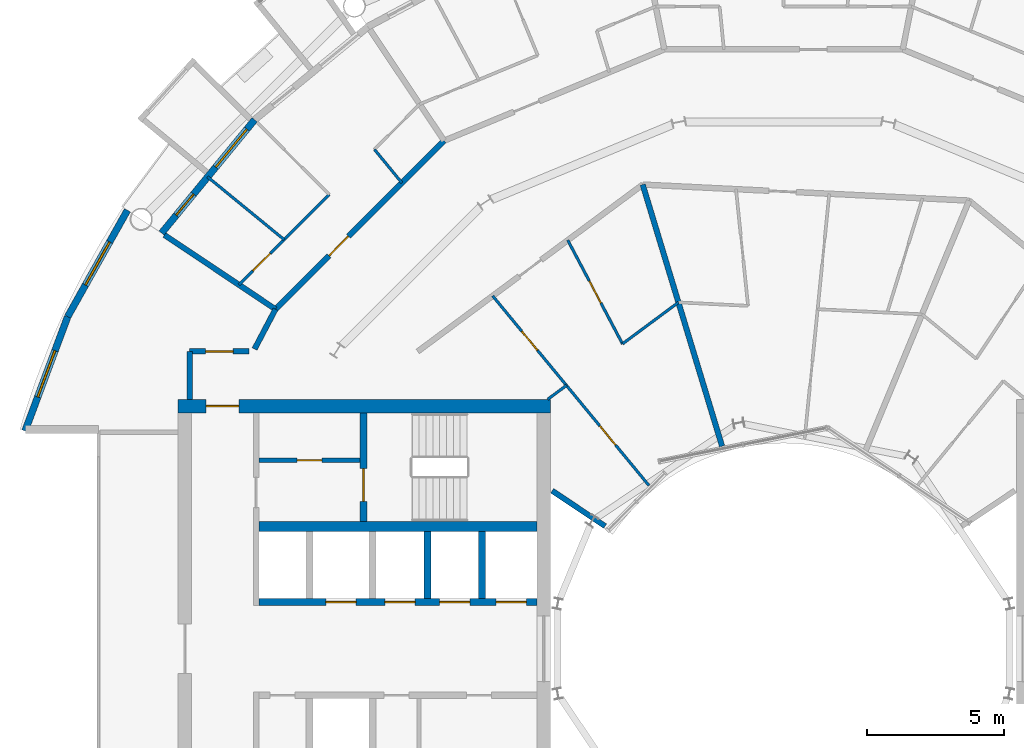
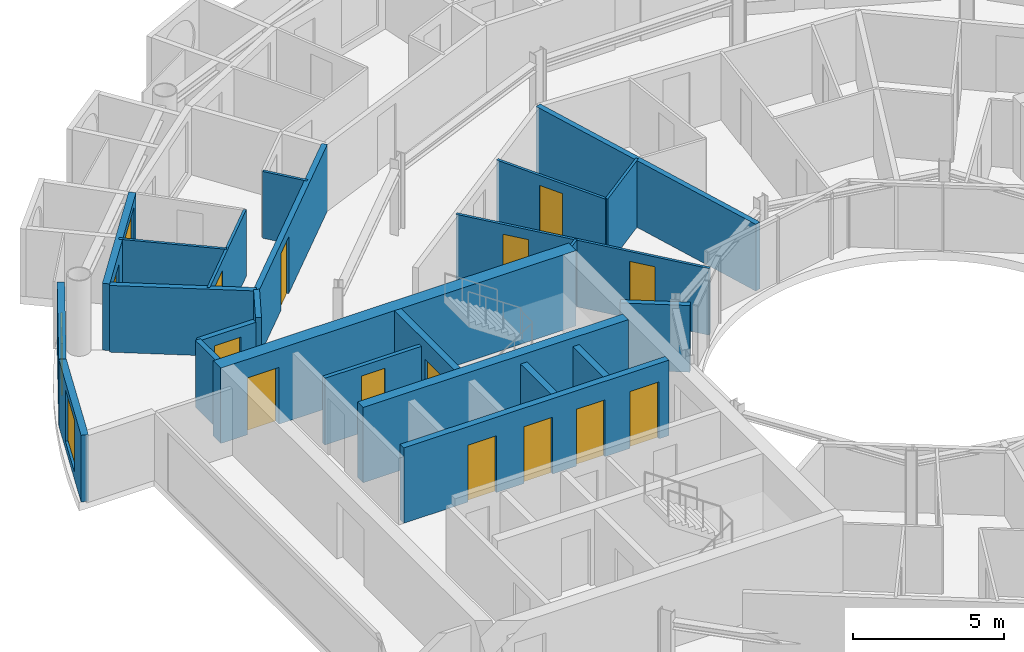
# One storey, part 19 of 27: 24 walls, 14 doors, 3 windows, 17 openings.
"""IFC4 building model written with IfcOpenShell, lengths in metres."""

from ifc_helpers import new_model, si_unit, direction, frame, frame_2d, origin, place, context, subcontext, project, spatial, rectangle, extrude, material, layer, layer_set, type_object, element, fill, save


model = new_model("IFC4")

# Units and contexts
model_context = context("Model", 3, precision=1e-05, world=origin(), true_north=direction((0.0, 1.0)))
body_context = subcontext(model_context, "Body", "Model", "MODEL_VIEW")
ifc_project = project(units=[si_unit("LENGTHUNIT", "METRE"), si_unit("AREAUNIT", "SQUARE_METRE"), si_unit("VOLUMEUNIT", "CUBIC_METRE"), si_unit("PLANEANGLEUNIT", "RADIAN"), si_unit("MASSUNIT", "GRAM", prefix="KILO")], contexts=[model_context])

# Site, building, storey
site_placement = place(None, origin())
site = spatial("IfcSite", under=ifc_project, at=site_placement, CompositionType="ELEMENT")
building_placement = place(site_placement, origin())
building = spatial("IfcBuilding", under=site, at=building_placement, Name="Maasbend Ring Residences", CompositionType="ELEMENT")
storey_placement = place(building_placement, frame((0.0, 0.0, 167.699951171875)))
storey = spatial("IfcBuildingStorey", under=building, at=storey_placement, Name="L48", CompositionType="ELEMENT", Elevation=167.699951171875)

# Wall, openings, doors
ifc_material_1 = material(Name="Concrete C60/75", Category="concrete")
ifc_layer_1 = layer(ifc_material_1, 0.25)
ifc_layer_set_1 = layer_set([ifc_layer_1], Name="Concrete C60/75")
wall_type_1 = type_object("IfcWallType", Name="CORE WALL 250 C60/75", PredefinedType="SHEAR", material=ifc_layer_set_1)
wall_1_placement = place(storey_placement, frame((-9.0, 1.699951171875, 0.0), z_axis=(0.0, 0.0, 1.0), x_axis=(-1.0, 0.0, 0.0)))
wall_1 = element("IfcWall", 1, at=wall_1_placement, inside=storey, type_object=wall_type_1, Name="L48 core W wall SPS", PredefinedType="SHEAR", context=body_context, shape_type="SweptSolid", body=[
    extrude(rectangle(XDim=10.14990234375, YDim=0.25, at=frame_2d((5.074951171875, 0.0))), origin(), (0.0, 0.0, 1.0), 3.050048828125),
])
opening_1_placement = place(wall_1_placement, frame((0.387451171875, 0.0, 0.0)))
opening_1 = element("IfcOpeningElement", 2, at=opening_1_placement, cuts=wall_1, Name="Opening LD-W4802", PredefinedType="OPENING", context=body_context, shape_type="SweptSolid", body=[
    extrude(rectangle(XDim=1.10009765625, YDim=2.300048828125, at=frame_2d((0.550048828125, 1.14990234375))), frame((0.0, 0.135009765625, 0.0), z_axis=(0.0, -1.0, 0.0), x_axis=(1.0, 0.0, 0.0)), (0.0, 0.0, 1.0), 0.27001953125),
])
opening_2_placement = place(wall_1_placement, frame((2.449951171875, 0.0, 0.0)))
opening_2 = element("IfcOpeningElement", 3, at=opening_2_placement, cuts=wall_1, Name="Opening LD-W4803", PredefinedType="OPENING", context=body_context, shape_type="SweptSolid", body=[
    extrude(rectangle(XDim=1.10009765625, YDim=2.300048828125, at=frame_2d((0.550048828125, 1.14990234375))), frame((0.0, 0.135009765625, 0.0), z_axis=(0.0, -1.0, 0.0), x_axis=(1.0, 0.0, 0.0)), (0.0, 0.0, 1.0), 0.27001953125),
])
opening_3_placement = place(wall_1_placement, frame((4.449951171875, 0.0, 0.0)))
opening_3 = element("IfcOpeningElement", 4, at=opening_3_placement, cuts=wall_1, Name="Opening LD-W4804", PredefinedType="OPENING", context=body_context, shape_type="SweptSolid", body=[
    extrude(rectangle(XDim=1.10009765625, YDim=2.300048828125, at=frame_2d((0.550048828125, 1.14990234375))), frame((0.0, 0.135009765625, 0.0), z_axis=(0.0, -1.0, 0.0), x_axis=(1.0, 0.0, 0.0)), (0.0, 0.0, 1.0), 0.27001953125),
])
opening_4_placement = place(wall_1_placement, frame((6.60009765625, 0.0, 0.0)))
opening_4 = element("IfcOpeningElement", 5, at=opening_4_placement, cuts=wall_1, Name="Opening LD-W4805", PredefinedType="OPENING", context=body_context, shape_type="SweptSolid", body=[
    extrude(rectangle(XDim=1.10009765625, YDim=2.300048828125, at=frame_2d((0.550048828125, 1.14990234375))), frame((0.0, 0.135009765625, 0.0), z_axis=(0.0, -1.0, 0.0), x_axis=(1.0, 0.0, 0.0)), (0.0, 0.0, 1.0), 0.27001953125),
])
ifc_material_2 = material(Name="Stainless steel 316", Category="steel")
door_type_1 = type_object("IfcDoorType", Name="LANDING DOOR 1100 X 2300 FD60", OperationType="DOUBLE_DOOR_SLIDING", PredefinedType="DOOR", material=ifc_material_2)
door_1_placement = place(opening_1_placement, origin())
door_1 = element("IfcDoor", 6, at=door_1_placement, inside=storey, type_object=door_type_1, Name="Landing door HR-W1 L48", OperationType="DOUBLE_DOOR_SLIDING", OverallHeight=2.300048828125, OverallWidth=1.10009765625, PredefinedType="DOOR", context=body_context, shape_type="SweptSolid", body=[
    extrude(rectangle(XDim=1.10009765625, YDim=2.300048828125, at=frame_2d((0.550048828125, 1.14990234375))), frame((0.0, 0.02490234375, 0.0), z_axis=(0.0, -1.0, 0.0), x_axis=(1.0, 0.0, 0.0)), (0.0, 0.0, 1.0), 0.050048828125),
])
fill(opening_1, door_1)
door_2_placement = place(opening_2_placement, origin())
door_2 = element("IfcDoor", 7, at=door_2_placement, inside=storey, type_object=door_type_1, Name="Landing door HR-W2 L48", OperationType="DOUBLE_DOOR_SLIDING", OverallHeight=2.300048828125, OverallWidth=1.10009765625, PredefinedType="DOOR", context=body_context, shape_type="SweptSolid", body=[
    extrude(rectangle(XDim=1.10009765625, YDim=2.300048828125, at=frame_2d((0.550048828125, 1.14990234375))), frame((0.0, 0.02490234375, 0.0), z_axis=(0.0, -1.0, 0.0), x_axis=(1.0, 0.0, 0.0)), (0.0, 0.0, 1.0), 0.050048828125),
])
fill(opening_2, door_2)
door_3_placement = place(opening_3_placement, origin())
door_3 = element("IfcDoor", 8, at=door_3_placement, inside=storey, type_object=door_type_1, Name="Landing door HR-W3 L48", OperationType="DOUBLE_DOOR_SLIDING", OverallHeight=2.300048828125, OverallWidth=1.10009765625, PredefinedType="DOOR", context=body_context, shape_type="SweptSolid", body=[
    extrude(rectangle(XDim=1.10009765625, YDim=2.300048828125, at=frame_2d((0.550048828125, 1.14990234375))), frame((0.0, 0.02490234375, 0.0), z_axis=(0.0, -1.0, 0.0), x_axis=(1.0, 0.0, 0.0)), (0.0, 0.0, 1.0), 0.050048828125),
])
fill(opening_3, door_3)
door_4_placement = place(opening_4_placement, origin())
door_4 = element("IfcDoor", 9, at=door_4_placement, inside=storey, type_object=door_type_1, Name="Landing door SV-W L48", OperationType="DOUBLE_DOOR_SLIDING", OverallHeight=2.300048828125, OverallWidth=1.10009765625, PredefinedType="DOOR", context=body_context, shape_type="SweptSolid", body=[
    extrude(rectangle(XDim=1.10009765625, YDim=2.300048828125, at=frame_2d((0.550048828125, 1.14990234375))), frame((0.0, 0.02490234375, 0.0), z_axis=(0.0, -1.0, 0.0), x_axis=(1.0, 0.0, 0.0)), (0.0, 0.0, 1.0), 0.050048828125),
])
fill(opening_4, door_4)

# Wall, opening, door
wall_2_placement = place(storey_placement, frame((-15.324951171875, 8.60009765625, 0.0), z_axis=(0.0, 0.0, 1.0), x_axis=(0.0, -1.0, 0.0)))
wall_2 = element("IfcWall", 10, at=wall_2_placement, inside=storey, type_object=wall_type_1, Name="L48 core W wall STES", PredefinedType="SHEAR", context=body_context, shape_type="SweptSolid", body=[
    extrude(rectangle(XDim=3.9501953125, YDim=0.25, at=frame_2d((1.97509765625, 0.0))), origin(), (0.0, 0.0, 1.0), 3.050048828125),
])
opening_5_placement = place(wall_2_placement, frame((2.02490234375, 0.0, 0.0)))
opening_5 = element("IfcOpeningElement", 11, at=opening_5_placement, cuts=wall_2, Name="Opening D-W4811", PredefinedType="OPENING", context=body_context, shape_type="SweptSolid", body=[
    extrude(rectangle(XDim=1.199951171875, YDim=2.300048828125, at=frame_2d((0.60009765625, 1.14990234375))), frame((0.0, 0.135009765625, 0.0), z_axis=(0.0, -1.0, 0.0), x_axis=(1.0, 0.0, 0.0)), (0.0, 0.0, 1.0), 0.27001953125),
])
ifc_material_3 = material(Name="Steel, powder coated", Category="steel")
door_type_2 = type_object("IfcDoorType", Name="STAIR DOOR 1200 X 2300 FD60", OperationType="NOTDEFINED", PredefinedType="DOOR", material=ifc_material_3)
door_5_placement = place(opening_5_placement, origin())
door_5 = element("IfcDoor", 12, at=door_5_placement, inside=storey, type_object=door_type_2, Name="Stair door ST-W L48", OperationType="SINGLE_SWING_LEFT", OverallHeight=2.300048828125, OverallWidth=1.199951171875, PredefinedType="DOOR", context=body_context, shape_type="SweptSolid", body=[
    extrude(rectangle(XDim=1.199951171875, YDim=2.300048828125, at=frame_2d((0.60009765625, 1.14990234375))), frame((0.0, 0.02490234375, 0.0), z_axis=(0.0, -1.0, 0.0), x_axis=(1.0, 0.0, 0.0)), (0.0, 0.0, 1.0), 0.050048828125),
])
fill(opening_5, door_5)

# Wall
ifc_material_4 = material(Name="Concrete C60/75", Category="concrete")
ifc_layer_2 = layer(ifc_material_4, 0.375)
ifc_layer_set_2 = layer_set([ifc_layer_2], Name="Concrete C60/75")
wall_type_2 = type_object("IfcWallType", Name="CORE WALL 375 C60/75", PredefinedType="SHEAR", material=ifc_layer_set_2)
wall_3_placement = place(storey_placement, frame((-9.0, 4.46240234375, 0.0), z_axis=(0.0, 0.0, 1.0), x_axis=(-1.0, 0.0, 0.0)))
element("IfcWall", 13, at=wall_3_placement, inside=storey, type_object=wall_type_2, Name="L48 core W wall BS", PredefinedType="SHEAR", context=body_context, shape_type="SweptSolid", body=[
    extrude(rectangle(XDim=10.14990234375, YDim=0.375, at=frame_2d((5.074951171875, 0.0))), origin(), (0.0, 0.0, 1.0), 3.050048828125),
])

# Wall, opening, door
ifc_material_5 = material(Name="Concrete C60/75", Category="concrete")
ifc_layer_3 = layer(ifc_material_5, 0.5)
ifc_layer_set_3 = layer_set([ifc_layer_3], Name="Concrete C60/75")
wall_type_3 = type_object("IfcWallType", Name="CORE WALL 500 C60/75", PredefinedType="SHEAR", material=ifc_layer_set_3)
wall_4_placement = place(storey_placement, frame((-8.5, 8.85009765625, 0.0), z_axis=(0.0, 0.0, 1.0), x_axis=(-1.0, 0.0, 0.0)))
wall_4 = element("IfcWall", 14, at=wall_4_placement, inside=storey, type_object=wall_type_3, Name="L48 core W wall PS", PredefinedType="SHEAR", context=body_context, shape_type="SweptSolid", body=[
    extrude(rectangle(XDim=13.60009765625, YDim=0.5, at=frame_2d((6.800048828125, 0.0))), origin(), (0.0, 0.0, 1.0), 3.050048828125),
])
opening_6_placement = place(wall_4_placement, frame((11.375, 0.0, 0.0)))
opening_6 = element("IfcOpeningElement", 15, at=opening_6_placement, cuts=wall_4, Name="Opening D-W4815", PredefinedType="OPENING", context=body_context, shape_type="SweptSolid", body=[
    extrude(rectangle(XDim=1.199951171875, YDim=2.300048828125, at=frame_2d((0.60009765625, 1.14990234375))), frame((0.0, 0.260009765625, 0.0), z_axis=(0.0, -1.0, 0.0), x_axis=(1.0, 0.0, 0.0)), (0.0, 0.0, 1.0), 0.52001953125),
])
ifc_material_6 = material(Name="Steel, powder coated", Category="steel")
door_type_3 = type_object("IfcDoorType", Name="CORRIDOR DOOR 1200 X 2300 FD30S", OperationType="NOTDEFINED", PredefinedType="DOOR", material=ifc_material_6)
door_6_placement = place(opening_6_placement, origin())
door_6 = element("IfcDoor", 16, at=door_6_placement, inside=storey, type_object=door_type_3, Name="Corridor door L48", OperationType="SINGLE_SWING_LEFT", OverallHeight=2.300048828125, OverallWidth=1.199951171875, PredefinedType="DOOR", context=body_context, shape_type="SweptSolid", body=[
    extrude(rectangle(XDim=1.199951171875, YDim=2.300048828125, at=frame_2d((0.60009765625, 1.14990234375))), frame((0.0, 0.02490234375, 0.0), z_axis=(0.0, -1.0, 0.0), x_axis=(1.0, 0.0, 0.0)), (0.0, 0.0, 1.0), 0.050048828125),
])
fill(opening_6, door_6)

ifc_material_7 = material(Name="Concrete C30/37", Category="concrete")
ifc_layer_4 = layer(ifc_material_7, 0.199951171875)
ifc_layer_set_4 = layer_set([ifc_layer_4], Name="Concrete C30/37")
wall_type_4 = type_object("IfcWallType", Name="CORRIDOR WALL 200 CONCRETE", PredefinedType="PARTITIONING", material=ifc_layer_set_4)
wall_5_placement = place(storey_placement, frame((-21.675048828125, 10.85009765625, 0.0), z_axis=(0.0, 0.0, 1.0), x_axis=(1.0, 0.0, 0.0)))
wall_5 = element("IfcWall", 17, at=wall_5_placement, inside=storey, type_object=wall_type_4, Name="U-L48-w096", PredefinedType="PARTITIONING", context=body_context, shape_type="SweptSolid", body=[
    extrude(rectangle(XDim=2.171142578125, YDim=0.199951171875, at=frame_2d((1.08544921875, 0.0))), origin(), (0.0, 0.0, 1.0), 2.699951171875),
])
opening_7_placement = place(wall_5_placement, frame((0.5849609375, 0.0, 0.0)))
opening_7 = element("IfcOpeningElement", 18, at=opening_7_placement, cuts=wall_5, Name="Opening D-4866", PredefinedType="OPENING", context=body_context, shape_type="SweptSolid", body=[
    extrude(rectangle(XDim=1.0, YDim=2.300048828125, at=frame_2d((0.5, 1.14990234375))), frame((0.0, 0.10986328125, 0.0), z_axis=(0.0, -1.0, 0.0), x_axis=(1.0, 0.0, 0.0)), (0.0, 0.0, 1.0), 0.219970703125),
])
ifc_material_8 = material(Name="Timber, painted", Category="wood")
door_type_4 = type_object("IfcDoorType", Name="ROOM DOOR 1000 X 2300", OperationType="NOTDEFINED", PredefinedType="DOOR", material=ifc_material_8)
door_7_placement = place(opening_7_placement, origin())
door_7 = element("IfcDoor", 19, at=door_7_placement, inside=storey, type_object=door_type_4, Name="D-4866", OperationType="SINGLE_SWING_LEFT", OverallHeight=2.300048828125, OverallWidth=1.0, PredefinedType="DOOR", context=body_context, shape_type="SweptSolid", body=[
    extrude(rectangle(XDim=1.0, YDim=2.300048828125, at=frame_2d((0.5, 1.14990234375))), frame((0.0, 0.02490234375, 0.0), z_axis=(0.0, -1.0, 0.0), x_axis=(1.0, 0.0, 0.0)), (0.0, 0.0, 1.0), 0.050048828125),
])
fill(opening_7, door_7)

# Wall
wall_6_placement = place(storey_placement, frame((-21.675048828125, 9.10009765625, 0.0), z_axis=(0.0, 0.0, 1.0), x_axis=(0.0, 1.0, 0.0)))
element("IfcWall", 20, at=wall_6_placement, inside=storey, type_object=wall_type_4, Name="U-L48-w108", PredefinedType="PARTITIONING", context=body_context, shape_type="SweptSolid", body=[
    extrude(rectangle(XDim=1.75, YDim=0.199951171875, at=frame_2d((0.875, 0.0))), origin(), (0.0, 0.0, 1.0), 2.699951171875),
])

# Wall, opening, door
wall_7_placement = place(storey_placement, frame((-18.5419921875, 12.388916015625, 0.0), z_axis=(0.0, 0.0, 1.0), x_axis=(0.707106781187, 0.707106781187, 0.0)))
wall_7 = element("IfcWall", 21, at=wall_7_placement, inside=storey, type_object=wall_type_4, Name="U-L48-w109", PredefinedType="PARTITIONING", context=body_context, shape_type="SweptSolid", body=[
    extrude(rectangle(XDim=8.70166015625, YDim=0.199951171875, at=frame_2d((4.350830078125, 0.0))), origin(), (0.0, 0.0, 1.0), 2.699951171875),
])
opening_8_placement = place(wall_7_placement, frame((2.762939453125, 0.0, 0.0)))
opening_8 = element("IfcOpeningElement", 22, at=opening_8_placement, cuts=wall_7, Name="Opening D-4817", PredefinedType="OPENING", context=body_context, shape_type="SweptSolid", body=[
    extrude(rectangle(XDim=1.0, YDim=2.300048828125, at=frame_2d((0.5, 1.14990234375))), frame((0.0, 0.10986328125, 0.0), z_axis=(0.0, -1.0, 0.0), x_axis=(1.0, 0.0, 0.0)), (0.0, 0.0, 1.0), 0.219970703125),
])
ifc_material_9 = material(Name="Timber, fire-rated, painted", Category="wood")
door_type_5 = type_object("IfcDoorType", Name="FLAT ENTRANCE DOOR 1000 X 2300 FIRE-RATED", OperationType="NOTDEFINED", PredefinedType="DOOR", material=ifc_material_9)
door_8_placement = place(opening_8_placement, origin())
door_8 = element("IfcDoor", 23, at=door_8_placement, inside=storey, type_object=door_type_5, Name="D-4817", OperationType="SINGLE_SWING_LEFT", OverallHeight=2.300048828125, OverallWidth=1.0, PredefinedType="DOOR", context=body_context, shape_type="SweptSolid", body=[
    extrude(rectangle(XDim=1.0, YDim=2.300048828125, at=frame_2d((0.5, 1.14990234375))), frame((0.0, 0.02490234375, 0.0), z_axis=(0.0, -1.0, 0.0), x_axis=(1.0, 0.0, 0.0)), (0.0, 0.0, 1.0), 0.050048828125),
])
fill(opening_8, door_8)

# Wall
wall_8_placement = place(storey_placement, frame((-19.306884765625, 10.93505859375, 0.0), z_axis=(0.0, 0.0, 1.0), x_axis=(0.465605550524, 0.884992356646, 0.0)))
element("IfcWall", 24, at=wall_8_placement, inside=storey, type_object=wall_type_4, Name="U-L48-w114", PredefinedType="PARTITIONING", context=body_context, shape_type="SweptSolid", body=[
    extrude(rectangle(XDim=1.642822265625, YDim=0.199951171875, at=frame_2d((0.8212890625, 0.0))), origin(), (0.0, 0.0, 1.0), 2.699951171875),
])

# Wall, openings, door, window
ifc_material_10 = material(Name="Aluminium clad insulated panel", Category="aluminium")
ifc_layer_5 = layer(ifc_material_10, 0.25)
ifc_layer_set_5 = layer_set([ifc_layer_5], Name="EW-GL")
wall_type_5 = type_object("IfcWallType", Name="EW-GL", PredefinedType="SOLIDWALL", material=ifc_layer_set_5)
wall_9_placement = place(storey_placement, frame((-19.303955078125, 19.303955078125, 0.0), z_axis=(0.0, 0.0, 1.0), x_axis=(-0.634382322723, -0.773019449054, 0.0)))
wall_9 = element("IfcWall", 25, at=wall_9_placement, inside=storey, type_object=wall_type_5, Name="External wall N10", PredefinedType="SOLIDWALL", context=body_context, shape_type="SweptSolid", body=[
    extrude(rectangle(XDim=5.351806640625, YDim=0.25, at=frame_2d((2.67578125, 0.0))), origin(), (0.0, 0.0, 1.0), 2.699951171875),
])
opening_9_placement = place(wall_9_placement, frame((0.441162109375, 0.0, 0.300048828125)))
opening_9 = element("IfcOpeningElement", 26, at=opening_9_placement, cuts=wall_9, Name="Opening W-BX", PredefinedType="OPENING", context=body_context, shape_type="SweptSolid", body=[
    extrude(rectangle(XDim=1.800048828125, YDim=2.10009765625, at=frame_2d((0.89990234375, 1.050048828125))), frame((0.0, 0.135009765625, 0.0), z_axis=(0.0, -1.0, 0.0), x_axis=(1.0, 0.0, 0.0)), (0.0, 0.0, 1.0), 0.27001953125),
])
opening_10_placement = place(wall_9_placement, frame((3.510498046875, 0.0, 0.0)))
opening_10 = element("IfcOpeningElement", 27, at=opening_10_placement, cuts=wall_9, Name="Opening D-LG", PredefinedType="OPENING", context=body_context, shape_type="SweptSolid", body=[
    extrude(rectangle(XDim=1.0, YDim=2.199951171875, at=frame_2d((0.5, 1.10009765625))), frame((0.0, 0.135009765625, 0.0), z_axis=(0.0, -1.0, 0.0), x_axis=(1.0, 0.0, 0.0)), (0.0, 0.0, 1.0), 0.27001953125),
])
ifc_material_11 = material(Name="Aluminium and clear glass", Category="aluminium")
door_type_6 = type_object("IfcDoorType", Name="D-LG", OperationType="SINGLE_SWING_LEFT", PredefinedType="DOOR", material=ifc_material_11)
door_9_placement = place(opening_10_placement, origin())
door_9 = element("IfcDoor", 28, at=door_9_placement, inside=storey, type_object=door_type_6, Name="Loggia door N20", OperationType="SINGLE_SWING_LEFT", OverallHeight=2.199951171875, OverallWidth=1.0, PredefinedType="DOOR", context=body_context, shape_type="SweptSolid", body=[
    extrude(rectangle(XDim=1.0, YDim=2.199951171875, at=frame_2d((0.5, 1.10009765625))), frame((0.0, 0.02490234375, 0.0), z_axis=(0.0, -1.0, 0.0), x_axis=(1.0, 0.0, 0.0)), (0.0, 0.0, 1.0), 0.050048828125),
])
fill(opening_10, door_9)
ifc_material_12 = material(Name="Aluminium and clear glass", Category="aluminium")
window_type = type_object("IfcWindowType", Name="W-BX", PartitioningType="DOUBLE_PANEL_VERTICAL", PredefinedType="WINDOW", material=ifc_material_12)
window_1_placement = place(opening_9_placement, origin())
window_1 = element("IfcWindow", 29, at=window_1_placement, inside=storey, type_object=window_type, Name="Window N19 room to box", OverallHeight=2.10009765625, OverallWidth=1.800048828125, PartitioningType="SINGLE_PANEL", PredefinedType="WINDOW", context=body_context, shape_type="SweptSolid", body=[
    extrude(rectangle(XDim=1.800048828125, YDim=2.10009765625, at=frame_2d((0.89990234375, 1.050048828125))), frame((0.0, 0.030029296875, 0.0), z_axis=(0.0, -1.0, 0.0), x_axis=(1.0, 0.0, 0.0)), (0.0, 0.0, 1.0), 0.06005859375),
])
fill(opening_9, window_1)

# Wall, opening, window
ifc_material_13 = material(Name="Aluminium clad insulated panel", Category="aluminium")
ifc_layer_6 = layer(ifc_material_13, 0.25)
ifc_layer_set_6 = layer_set([ifc_layer_6], Name="EW-HORN")
wall_type_6 = type_object("IfcWallType", Name="EW-HORN", PredefinedType="SOLIDWALL", material=ifc_layer_set_6)
wall_10_placement = place(storey_placement, frame((-23.946044921875, 16.0, 0.0), z_axis=(0.0, 0.0, 1.0), x_axis=(-0.489696356642, -0.871893042919, 0.0)))
wall_10 = element("IfcWall", 30, at=wall_10_placement, inside=storey, type_object=wall_type_6, Name="Horn wall 4.1", PredefinedType="SOLIDWALL", context=body_context, shape_type="SweptSolid", body=[
    extrude(rectangle(XDim=4.45361328125, YDim=0.25, at=frame_2d((2.226806640625, 0.0))), origin(), (0.0, 0.0, 1.0), 2.699951171875),
])
opening_11_placement = place(wall_10_placement, frame((1.32666015625, 0.0, 0.300048828125)))
opening_11 = element("IfcOpeningElement", 31, at=opening_11_placement, cuts=wall_10, Name="Opening W-BX", PredefinedType="OPENING", context=body_context, shape_type="SweptSolid", body=[
    extrude(rectangle(XDim=1.800048828125, YDim=2.10009765625, at=frame_2d((0.89990234375, 1.050048828125))), frame((0.0, 0.135009765625, 0.0), z_axis=(0.0, -1.0, 0.0), x_axis=(1.0, 0.0, 0.0)), (0.0, 0.0, 1.0), 0.27001953125),
])
window_2_placement = place(opening_11_placement, origin())
window_2 = element("IfcWindow", 32, at=window_2_placement, inside=storey, type_object=window_type, Name="Horn window 4.1", OverallHeight=2.10009765625, OverallWidth=1.800048828125, PartitioningType="SINGLE_PANEL", PredefinedType="WINDOW", context=body_context, shape_type="SweptSolid", body=[
    extrude(rectangle(XDim=1.800048828125, YDim=2.10009765625, at=frame_2d((0.89990234375, 1.050048828125))), frame((0.0, 0.030029296875, 0.0), z_axis=(0.0, -1.0, 0.0), x_axis=(1.0, 0.0, 0.0)), (0.0, 0.0, 1.0), 0.06005859375),
])
fill(opening_11, window_2)

wall_11_placement = place(storey_placement, frame((-26.126953125, 12.116943359375, 0.0), z_axis=(0.0, 0.0, 1.0), x_axis=(-0.349247811493, -0.937030397675, 0.0)))
wall_11 = element("IfcWall", 33, at=wall_11_placement, inside=storey, type_object=wall_type_6, Name="Horn wall 4.2", PredefinedType="SOLIDWALL", context=body_context, shape_type="SweptSolid", body=[
    extrude(rectangle(XDim=4.4521484375, YDim=0.25, at=frame_2d((2.22607421875, 0.0))), origin(), (0.0, 0.0, 1.0), 2.699951171875),
])
opening_12_placement = place(wall_11_placement, frame((1.32666015625, 0.0, 0.300048828125)))
opening_12 = element("IfcOpeningElement", 34, at=opening_12_placement, cuts=wall_11, Name="Opening W-BX", PredefinedType="OPENING", context=body_context, shape_type="SweptSolid", body=[
    extrude(rectangle(XDim=1.800048828125, YDim=2.10009765625, at=frame_2d((0.89990234375, 1.050048828125))), frame((0.0, 0.135009765625, 0.0), z_axis=(0.0, -1.0, 0.0), x_axis=(1.0, 0.0, 0.0)), (0.0, 0.0, 1.0), 0.27001953125),
])
window_3_placement = place(opening_12_placement, origin())
window_3 = element("IfcWindow", 35, at=window_3_placement, inside=storey, type_object=window_type, Name="Horn window 4.2", OverallHeight=2.10009765625, OverallWidth=1.800048828125, PartitioningType="SINGLE_PANEL", PredefinedType="WINDOW", context=body_context, shape_type="SweptSolid", body=[
    extrude(rectangle(XDim=1.800048828125, YDim=2.10009765625, at=frame_2d((0.89990234375, 1.050048828125))), frame((0.0, 0.030029296875, 0.0), z_axis=(0.0, -1.0, 0.0), x_axis=(1.0, 0.0, 0.0)), (0.0, 0.0, 1.0), 0.06005859375),
])
fill(opening_12, window_3)

# Walls
ifc_material_14 = material(Name="Gypsum board on steel studs", Category="steel")
ifc_layer_7 = layer(ifc_material_14, 0.10009765625)
ifc_layer_set_7 = layer_set([ifc_layer_7], Name="PARTITION 100 GYPSUM")
wall_type_7 = type_object("IfcWallType", Name="PARTITION 100 GYPSUM", PredefinedType="PARTITIONING", material=ifc_layer_set_7)
wall_12_placement = place(storey_placement, frame((-21.02294921875, 17.219970703125, 0.0), z_axis=(0.0, 0.0, 1.0), x_axis=(0.773548271597, -0.633737383709, 0.0)))
element("IfcWall", 36, at=wall_12_placement, inside=storey, type_object=wall_type_7, Name="U-L48-w037", PredefinedType="PARTITIONING", context=body_context, shape_type="SweptSolid", body=[
    extrude(rectangle(XDim=3.6181640625, YDim=0.10009765625, at=frame_2d((1.80908203125, 0.0))), origin(), (0.0, 0.0, 1.0), 2.699951171875),
])
wall_13_placement = place(storey_placement, frame((-14.929931640625, 18.221923828125, 0.0), z_axis=(0.0, 0.0, 1.0), x_axis=(0.633633636523, -0.773633255921, 0.0)))
element("IfcWall", 37, at=wall_13_placement, inside=storey, type_object=wall_type_7, Name="U-L48-w044", PredefinedType="PARTITIONING", context=body_context, shape_type="SweptSolid", body=[
    extrude(rectangle(XDim=1.578125, YDim=0.10009765625, at=frame_2d((0.7890625, 0.0))), origin(), (0.0, 0.0, 1.0), 2.699951171875),
])

# Wall, openings, doors
wall_14_placement = place(storey_placement, frame((-10.615966796875, 12.875, 0.0), z_axis=(0.0, 0.0, 1.0), x_axis=(0.636045954217, -0.771651180342, 0.0)))
wall_14 = element("IfcWall", 38, at=wall_14_placement, inside=storey, type_object=wall_type_7, Name="U-L48-w047", PredefinedType="PARTITIONING", context=body_context, shape_type="SweptSolid", body=[
    extrude(rectangle(XDim=8.9677734375, YDim=0.10009765625, at=frame_2d((4.48388671875, 0.0))), origin(), (0.0, 0.0, 1.0), 2.699951171875),
])
opening_13_placement = place(wall_14_placement, frame((1.6669921875, 0.0, 0.0)))
opening_13 = element("IfcOpeningElement", 39, at=opening_13_placement, cuts=wall_14, Name="Opening D-4832", PredefinedType="OPENING", context=body_context, shape_type="SweptSolid", body=[
    extrude(rectangle(XDim=0.89990234375, YDim=2.300048828125, at=frame_2d((0.449951171875, 1.14990234375))), frame((0.0, 0.06005859375, 0.0), z_axis=(0.0, -1.0, 0.0), x_axis=(1.0, 0.0, 0.0)), (0.0, 0.0, 1.0), 0.1201171875),
])
opening_14_placement = place(wall_14_placement, frame((6.15087890625, 0.0, 0.0)))
opening_14 = element("IfcOpeningElement", 40, at=opening_14_placement, cuts=wall_14, Name="Opening D-4833", PredefinedType="OPENING", context=body_context, shape_type="SweptSolid", body=[
    extrude(rectangle(XDim=0.89990234375, YDim=2.300048828125, at=frame_2d((0.449951171875, 1.14990234375))), frame((0.0, 0.06005859375, 0.0), z_axis=(0.0, -1.0, 0.0), x_axis=(1.0, 0.0, 0.0)), (0.0, 0.0, 1.0), 0.1201171875),
])
ifc_material_15 = material(Name="Timber, painted", Category="wood")
door_type_7 = type_object("IfcDoorType", Name="INTERNAL DOOR 900 X 2300", OperationType="NOTDEFINED", PredefinedType="DOOR", material=ifc_material_15)
door_10_placement = place(opening_13_placement, origin())
door_10 = element("IfcDoor", 41, at=door_10_placement, inside=storey, type_object=door_type_7, Name="D-4832", OperationType="SINGLE_SWING_LEFT", OverallHeight=2.300048828125, OverallWidth=0.89990234375, PredefinedType="DOOR", context=body_context, shape_type="SweptSolid", body=[
    extrude(rectangle(XDim=0.89990234375, YDim=2.300048828125, at=frame_2d((0.449951171875, 1.14990234375))), frame((0.0, 0.02490234375, 0.0), z_axis=(0.0, -1.0, 0.0), x_axis=(1.0, 0.0, 0.0)), (0.0, 0.0, 1.0), 0.050048828125),
])
fill(opening_13, door_10)
door_11_placement = place(opening_14_placement, origin())
door_11 = element("IfcDoor", 42, at=door_11_placement, inside=storey, type_object=door_type_7, Name="D-4833", OperationType="SINGLE_SWING_RIGHT", OverallHeight=2.300048828125, OverallWidth=0.89990234375, PredefinedType="DOOR", context=body_context, shape_type="SweptSolid", body=[
    extrude(rectangle(XDim=0.89990234375, YDim=2.300048828125, at=frame_2d((0.449951171875, 1.14990234375))), frame((0.0, 0.02490234375, 0.0), z_axis=(0.0, -1.0, 0.0), x_axis=(1.0, 0.0, 0.0)), (0.0, 0.0, 1.0), 0.050048828125),
])
fill(opening_14, door_11)

# Wall, opening, door
wall_15_placement = place(storey_placement, frame((-7.875, 14.907958984375, 0.0), z_axis=(0.0, 0.0, 1.0), x_axis=(0.467030118529, -0.884241408432, 0.0)))
wall_15 = element("IfcWall", 43, at=wall_15_placement, inside=storey, type_object=wall_type_7, Name="U-L48-w051", PredefinedType="PARTITIONING", context=body_context, shape_type="SweptSolid", body=[
    extrude(rectangle(XDim=4.278076171875, YDim=0.10009765625, at=frame_2d((2.13916015625, 0.0))), origin(), (0.0, 0.0, 1.0), 2.699951171875),
])
opening_15_placement = place(wall_15_placement, frame((1.68896484375, 0.0, 0.0)))
opening_15 = element("IfcOpeningElement", 44, at=opening_15_placement, cuts=wall_15, Name="Opening D-4831", PredefinedType="OPENING", context=body_context, shape_type="SweptSolid", body=[
    extrude(rectangle(XDim=0.89990234375, YDim=2.300048828125, at=frame_2d((0.449951171875, 1.14990234375))), frame((0.0, 0.06005859375, 0.0), z_axis=(0.0, -1.0, 0.0), x_axis=(1.0, 0.0, 0.0)), (0.0, 0.0, 1.0), 0.1201171875),
])
door_12_placement = place(opening_15_placement, origin())
door_12 = element("IfcDoor", 45, at=door_12_placement, inside=storey, type_object=door_type_7, Name="D-4831", OperationType="SINGLE_SWING_RIGHT", OverallHeight=2.300048828125, OverallWidth=0.89990234375, PredefinedType="DOOR", context=body_context, shape_type="SweptSolid", body=[
    extrude(rectangle(XDim=0.89990234375, YDim=2.300048828125, at=frame_2d((0.449951171875, 1.14990234375))), frame((0.0, 0.02490234375, 0.0), z_axis=(0.0, -1.0, 0.0), x_axis=(1.0, 0.0, 0.0)), (0.0, 0.0, 1.0), 0.050048828125),
])
fill(opening_15, door_12)

# Walls
wall_16_placement = place(storey_placement, frame((-8.60693359375, 9.10009765625, 0.0), z_axis=(0.0, 0.0, 1.0), x_axis=(0.803199066515, 0.595710718007, 0.0)))
element("IfcWall", 46, at=wall_16_placement, inside=storey, type_object=wall_type_7, Name="U-L48-w098", PredefinedType="PARTITIONING", context=body_context, shape_type="SweptSolid", body=[
    extrude(rectangle(XDim=0.857666015625, YDim=0.10009765625, at=frame_2d((0.4287109375, 0.0))), origin(), (0.0, 0.0, 1.0), 2.699951171875),
])
wall_17_placement = place(storey_placement, frame((-5.876953125, 11.125, 0.0), z_axis=(0.0, 0.0, 1.0), x_axis=(0.803259509791, 0.595629213463, 0.0)))
element("IfcWall", 47, at=wall_17_placement, inside=storey, type_object=wall_type_7, Name="U-L48-w099", PredefinedType="PARTITIONING", context=body_context, shape_type="SweptSolid", body=[
    extrude(rectangle(XDim=2.54345703125, YDim=0.10009765625, at=frame_2d((1.271728515625, 0.0))), origin(), (0.0, 0.0, 1.0), 2.699951171875),
])

# Wall, opening, door
wall_18_placement = place(storey_placement, frame((-19.8720703125, 13.278076171875, 0.0), z_axis=(0.0, 0.0, 1.0), x_axis=(0.707132961115, 0.707080600289, 0.0)))
wall_18 = element("IfcWall", 48, at=wall_18_placement, inside=storey, type_object=wall_type_7, Name="U-L48-w116", PredefinedType="PARTITIONING", context=body_context, shape_type="SweptSolid", body=[
    extrude(rectangle(XDim=4.66259765625, YDim=0.10009765625, at=frame_2d((2.331298828125, 0.0))), origin(), (0.0, 0.0, 1.0), 2.699951171875),
])
opening_16_placement = place(wall_18_placement, frame((0.718994140625, 0.0, 0.0)))
opening_16 = element("IfcOpeningElement", 49, at=opening_16_placement, cuts=wall_18, Name="Opening D-4820", PredefinedType="OPENING", context=body_context, shape_type="SweptSolid", body=[
    extrude(rectangle(XDim=0.89990234375, YDim=2.300048828125, at=frame_2d((0.449951171875, 1.14990234375))), frame((0.0, 0.06005859375, 0.0), z_axis=(0.0, -1.0, 0.0), x_axis=(1.0, 0.0, 0.0)), (0.0, 0.0, 1.0), 0.1201171875),
])
door_13_placement = place(opening_16_placement, origin())
door_13 = element("IfcDoor", 50, at=door_13_placement, inside=storey, type_object=door_type_7, Name="D-4820", OperationType="SINGLE_SWING_LEFT", OverallHeight=2.300048828125, OverallWidth=0.89990234375, PredefinedType="DOOR", context=body_context, shape_type="SweptSolid", body=[
    extrude(rectangle(XDim=0.89990234375, YDim=2.300048828125, at=frame_2d((0.449951171875, 1.14990234375))), frame((0.0, 0.02490234375, 0.0), z_axis=(0.0, -1.0, 0.0), x_axis=(1.0, 0.0, 0.0)), (0.0, 0.0, 1.0), 0.050048828125),
])
fill(opening_16, door_13)

ifc_material_16 = material(Name="Gypsum board on steel studs", Category="steel")
ifc_layer_8 = layer(ifc_material_16, 0.14990234375)
ifc_layer_set_8 = layer_set([ifc_layer_8], Name="PARTITION 150 EI 60")
wall_type_8 = type_object("IfcWallType", Name="PARTITION 150 EI 60", PredefinedType="PARTITIONING", material=ifc_layer_set_8)
wall_19_placement = place(storey_placement, frame((-15.449951171875, 6.875, 0.0), z_axis=(0.0, 0.0, 1.0), x_axis=(-1.0, 0.0, 0.0)))
wall_19 = element("IfcWall", 51, at=wall_19_placement, inside=storey, type_object=wall_type_8, Name="L48 core W wall RHS", PredefinedType="PARTITIONING", context=body_context, shape_type="SweptSolid", body=[
    extrude(rectangle(XDim=3.699951171875, YDim=0.14990234375, at=frame_2d((1.85009765625, 0.0))), origin(), (0.0, 0.0, 1.0), 2.699951171875),
])
opening_17_placement = place(wall_19_placement, frame((1.39990234375, 0.0, 0.0)))
opening_17 = element("IfcOpeningElement", 52, at=opening_17_placement, cuts=wall_19, Name="Opening D-W4809", PredefinedType="OPENING", context=body_context, shape_type="SweptSolid", body=[
    extrude(rectangle(XDim=0.89990234375, YDim=2.300048828125, at=frame_2d((0.449951171875, 1.14990234375))), frame((0.0, 0.0849609375, 0.0), z_axis=(0.0, -1.0, 0.0), x_axis=(1.0, 0.0, 0.0)), (0.0, 0.0, 1.0), 0.169921875),
])
ifc_material_17 = material(Name="Steel, powder coated", Category="steel")
door_type_8 = type_object("IfcDoorType", Name="RISER DOOR 900 X 2300 FD60", OperationType="NOTDEFINED", PredefinedType="DOOR", material=ifc_material_17)
door_14_placement = place(opening_17_placement, origin())
door_14 = element("IfcDoor", 53, at=door_14_placement, inside=storey, type_object=door_type_8, Name="Riser door L48", OperationType="SINGLE_SWING_LEFT", OverallHeight=2.300048828125, OverallWidth=0.89990234375, PredefinedType="DOOR", context=body_context, shape_type="SweptSolid", body=[
    extrude(rectangle(XDim=0.89990234375, YDim=2.300048828125, at=frame_2d((0.449951171875, 1.14990234375))), frame((0.0, 0.02490234375, 0.0), z_axis=(0.0, -1.0, 0.0), x_axis=(1.0, 0.0, 0.0)), (0.0, 0.0, 1.0), 0.050048828125),
])
fill(opening_17, door_14)

# Walls
ifc_material_18 = material(Name="Concrete C30/37", Category="concrete")
ifc_layer_9 = layer(ifc_material_18, 0.199951171875)
ifc_layer_set_9 = layer_set([ifc_layer_9], Name="Concrete C30/37")
wall_type_9 = type_object("IfcWallType", Name="PARTY WALL 200 CONCRETE", PredefinedType="PARTITIONING", material=ifc_layer_set_9)
wall_20_placement = place(storey_placement, frame((-22.594970703125, 15.097900390625, 0.0), z_axis=(0.0, 0.0, 1.0), x_axis=(0.831387096605, -0.55569370664, 0.0)))
element("IfcWall", 54, at=wall_20_placement, inside=storey, type_object=wall_type_9, Name="U-L48-w036", PredefinedType="PARTITIONING", context=body_context, shape_type="SweptSolid", body=[
    extrude(rectangle(XDim=4.875, YDim=0.199951171875, at=frame_2d((2.4375, 0.0))), origin(), (0.0, 0.0, 1.0), 2.699951171875),
])
wall_21_placement = place(storey_placement, frame((-5.139892578125, 16.93701171875, 0.0), z_axis=(0.0, 0.0, 1.0), x_axis=(0.290401199794, -0.956904981259, 0.0)))
element("IfcWall", 55, at=wall_21_placement, inside=storey, type_object=wall_type_9, Name="U-L48-w057", PredefinedType="PARTITIONING", context=body_context, shape_type="SweptSolid", body=[
    extrude(rectangle(XDim=9.97900390625, YDim=0.199951171875, at=frame_2d((4.989501953125, 0.0))), origin(), (0.0, 0.0, 1.0), 2.699951171875),
])
wall_22_placement = place(storey_placement, frame((-6.512939453125, 4.471923828125, 0.0), z_axis=(0.0, 0.0, 1.0), x_axis=(-0.83133816625, 0.555766905579, 0.0)))
element("IfcWall", 56, at=wall_22_placement, inside=storey, type_object=wall_type_9, Name="U-L48-w094", PredefinedType="PARTITIONING", context=body_context, shape_type="SweptSolid", body=[
    extrude(rectangle(XDim=2.322998046875, YDim=0.199951171875, at=frame_2d((1.16162109375, 0.0))), origin(), (0.0, 0.0, 1.0), 2.699951171875),
])
ifc_material_19 = material(Name="Concrete C30/37", Category="concrete")
ifc_layer_10 = layer(ifc_material_19, 0.25)
ifc_layer_set_10 = layer_set([ifc_layer_10], Name="Concrete C30/37")
wall_type_10 = type_object("IfcWallType", Name="SHAFT WALL 250 EI 120", PredefinedType="SOLIDWALL", material=ifc_layer_set_10)
for number, where, z_axis, x_axis, name in (
    (57, (-11.0, 1.824951171875, 0.0), (0.0, 0.0, 1.0), (0.0, 1.0, 0.0), "L48 core W wall D110S"),
    (58, (-13.0, 1.824951171875, 0.0), (0.0, 0.0, 1.0), (0.0, 1.0, 0.0), "L48 core W wall D130S"),
):
    element("IfcWall", number, at=place(storey_placement, frame(where, z_axis=z_axis, x_axis=x_axis)), inside=storey, type_object=wall_type_10, Name=name, PredefinedType="SOLIDWALL", context=body_context, shape_type="SweptSolid", body=[
        extrude(rectangle(XDim=2.449951171875, YDim=0.25, at=frame_2d((1.22509765625, 0.0))), origin(), (0.0, 0.0, 1.0), 2.699951171875),
    ])

save(model, "model.ifc")
